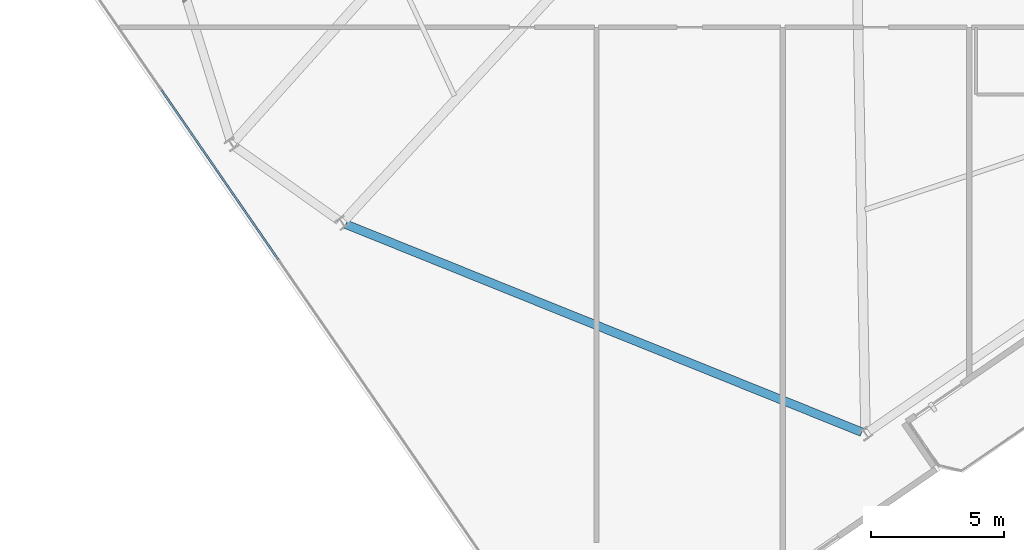
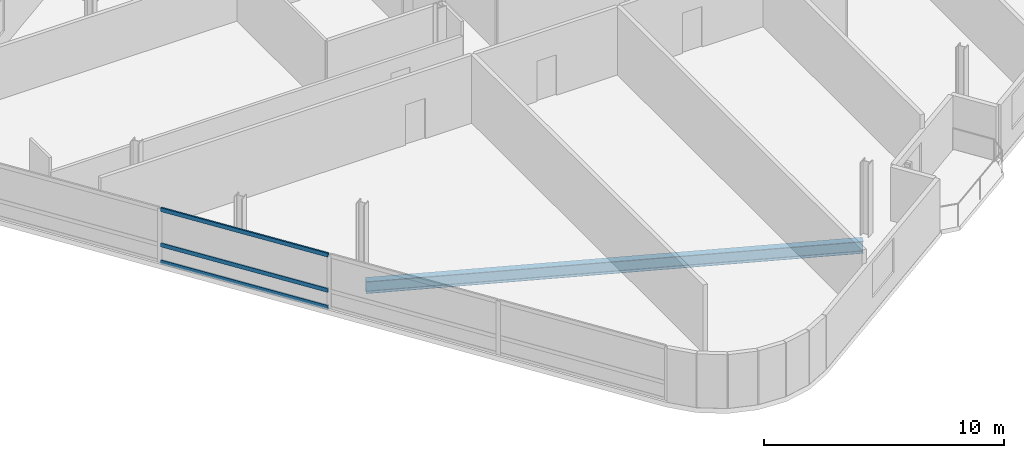
# One storey, part 4 of 21: 3 members, 1 beam, 1 element without a shape of its own.
"""IFC4 building model written with IfcOpenShell, lengths in metres."""

from ifc_helpers import new_model, si_unit, direction, frame, origin, origin_2d, place, context, subcontext, project, spatial, hollow_rectangle, i_section, extrude, material, layer, layer_set, material_profile, profile_set, type_object, element, aggregate, save


model = new_model("IFC4")

# Units and contexts
model_context = context("Model", 3, precision=1e-05, world=origin(), true_north=direction((0.0, 1.0)))
body_context = subcontext(model_context, "Body", "Model", "MODEL_VIEW")
ifc_project = project(units=[si_unit("LENGTHUNIT", "METRE"), si_unit("AREAUNIT", "SQUARE_METRE"), si_unit("VOLUMEUNIT", "CUBIC_METRE"), si_unit("PLANEANGLEUNIT", "RADIAN"), si_unit("MASSUNIT", "GRAM", prefix="KILO")], contexts=[model_context])

# Site, building, storey
site_placement = place(None, origin())
site = spatial("IfcSite", under=ifc_project, at=site_placement, CompositionType="ELEMENT")
building_placement = place(site_placement, origin())
building = spatial("IfcBuilding", under=site, at=building_placement, Name="Varnelok Gate Tower", CompositionType="ELEMENT")
storey_placement = place(building_placement, frame((0.0, 0.0, 261.89990234375)))
storey = spatial("IfcBuildingStorey", under=building, at=storey_placement, Name="L67", CompositionType="ELEMENT", Elevation=261.89990234375)

# Beam
ifc_material_1 = material(Name="Structural Steel ASTM A992 Grade 50", Category="steel")
ifc_material_profile_1 = material_profile(ifc_material_1, i_section(OverallWidth=0.323974609375, OverallDepth=0.611083984375, WebThickness=0.0126953125, FlangeThickness=0.01904296875, FilletRadius=0.01806640625, at=origin_2d()), Name="W24X104")
ifc_profile_set_1 = profile_set([ifc_material_profile_1], Name="Structural Steel ASTM A992 Grade 50")
beam_type = type_object("IfcBeamType", Name="BM-SPN-W24X104", PredefinedType="SPANDREL", material=ifc_profile_set_1)
beam_placement = place(storey_placement, frame((14.581787109375, 7.94775390625, -0.555419921875), z_axis=(0.927546574087, -0.373707576722, 0.0), x_axis=(0.373707576722, 0.927546574087, 0.0)))
element("IfcBeam", 1, at=beam_placement, inside=storey, type_object=beam_type, Name="L67 Perimeter Spandrel Beam 16", PredefinedType="SPANDREL", context=body_context, shape_type="SweptSolid", body=[
    extrude(i_section(OverallWidth=0.323974609375, OverallDepth=0.611083984375, WebThickness=0.0126953125, FlangeThickness=0.01904296875, FilletRadius=0.01806640625, at=origin_2d()), origin(), (0.0, 0.0, 1.0), 20.90087890625),
])

# Curtain wall, members
ifc_material_2 = material(Name="Anodized Aluminum Alloy 6063-T6", Category="aluminium")
ifc_layer = layer(ifc_material_2, 0.179931640625)
ifc_layer_set = layer_set([ifc_layer], Name="Anodized Aluminum Alloy 6063-T6")
curtain_wall_type = type_object("IfcCurtainWallType", Name="CW4-RESIDENCE-VISION", PredefinedType="USERDEFINED", material=ifc_layer_set)
curtain_wall_placement = place(storey_placement, origin())
curtain_wall = element("IfcCurtainWall", 2, at=curtain_wall_placement, inside=storey, type_object=curtain_wall_type, Name="L67 West End Vision Curtain Wall", ObjectType="UNITISED CURTAIN WALL", PredefinedType="USERDEFINED")
ifc_material_profile_2 = material_profile(ifc_material_2, hollow_rectangle(XDim=0.074951171875, YDim=0.199951171875, WallThickness=0.00390625, at=origin_2d()), Name="ALU200X75X4")
ifc_profile_set_2 = profile_set([ifc_material_profile_2], Name="Anodized Aluminum Alloy 6063-T6")
member_type = type_object("IfcMemberType", Name="CW-TRAN-200", PredefinedType="USERDEFINED", material=ifc_profile_set_2)
member_1_placement = place(storey_placement, frame((12.03515625, 6.6337890625, 0.03759765625), z_axis=(-0.567275705555, 0.823527943598, 0.0), x_axis=(-0.823527943598, -0.567275705555, 0.0)))
member_1 = element("IfcMember", 3, at=member_1_placement, type_object=member_type, Name="CW4 transom 3.1", ObjectType="TRANSOM", PredefinedType="USERDEFINED", context=body_context, shape_type="SweptSolid", body=[
    extrude(hollow_rectangle(XDim=0.074951171875, YDim=0.199951171875, WallThickness=0.00390625, at=origin_2d()), origin(), (0.0, 0.0, 1.0), 7.724853515625),
])
member_2_placement = place(storey_placement, frame((12.03515625, 6.6337890625, 0.900146484375), z_axis=(-0.567275705555, 0.823527943598, 0.0), x_axis=(-0.823527943598, -0.567275705555, 0.0)))
member_2 = element("IfcMember", 4, at=member_2_placement, type_object=member_type, Name="CW4 transom 3.2", ObjectType="TRANSOM", PredefinedType="USERDEFINED", context=body_context, shape_type="SweptSolid", body=[
    extrude(hollow_rectangle(XDim=0.074951171875, YDim=0.199951171875, WallThickness=0.00390625, at=origin_2d()), origin(), (0.0, 0.0, 1.0), 7.724853515625),
])
member_3_placement = place(storey_placement, frame((12.03515625, 6.6337890625, 2.692626953125), z_axis=(-0.567275705555, 0.823527943598, 0.0), x_axis=(-0.823527943598, -0.567275705555, 0.0)))
member_3 = element("IfcMember", 5, at=member_3_placement, type_object=member_type, Name="CW4 transom 3.3", ObjectType="TRANSOM", PredefinedType="USERDEFINED", context=body_context, shape_type="SweptSolid", body=[
    extrude(hollow_rectangle(XDim=0.074951171875, YDim=0.199951171875, WallThickness=0.00390625, at=origin_2d()), origin(), (0.0, 0.0, 1.0), 7.724853515625),
])
aggregate(curtain_wall, [member_1, member_2, member_3])

save(model, "model.ifc")
